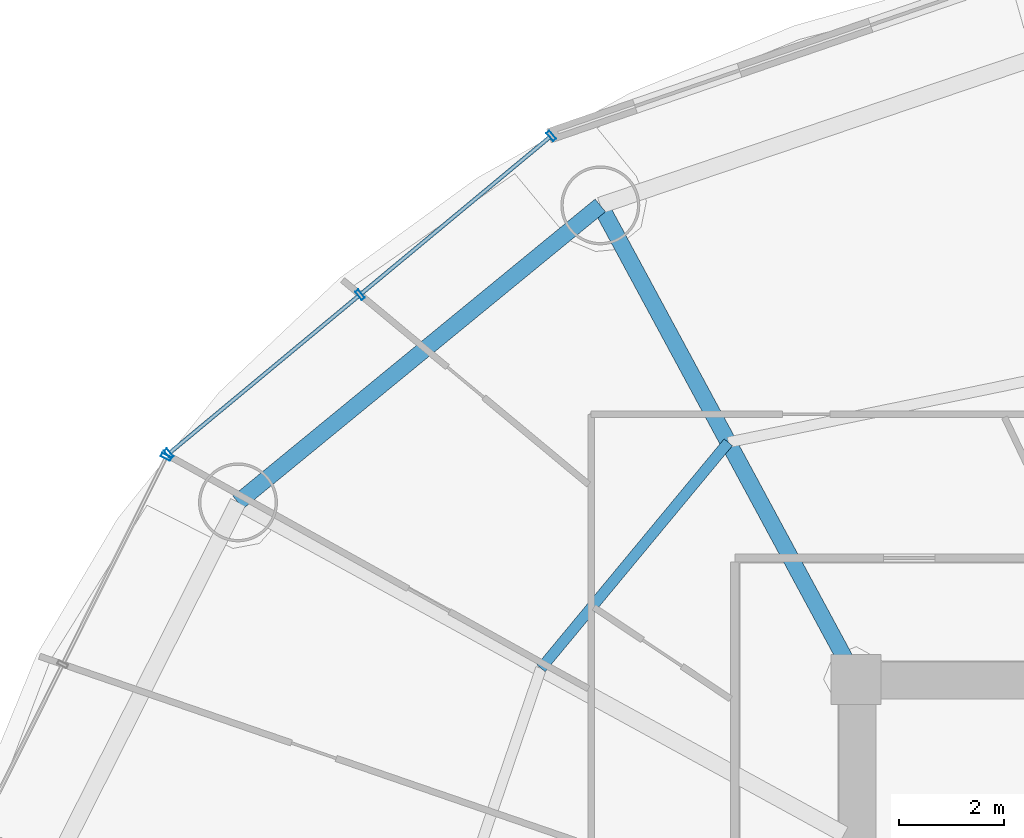
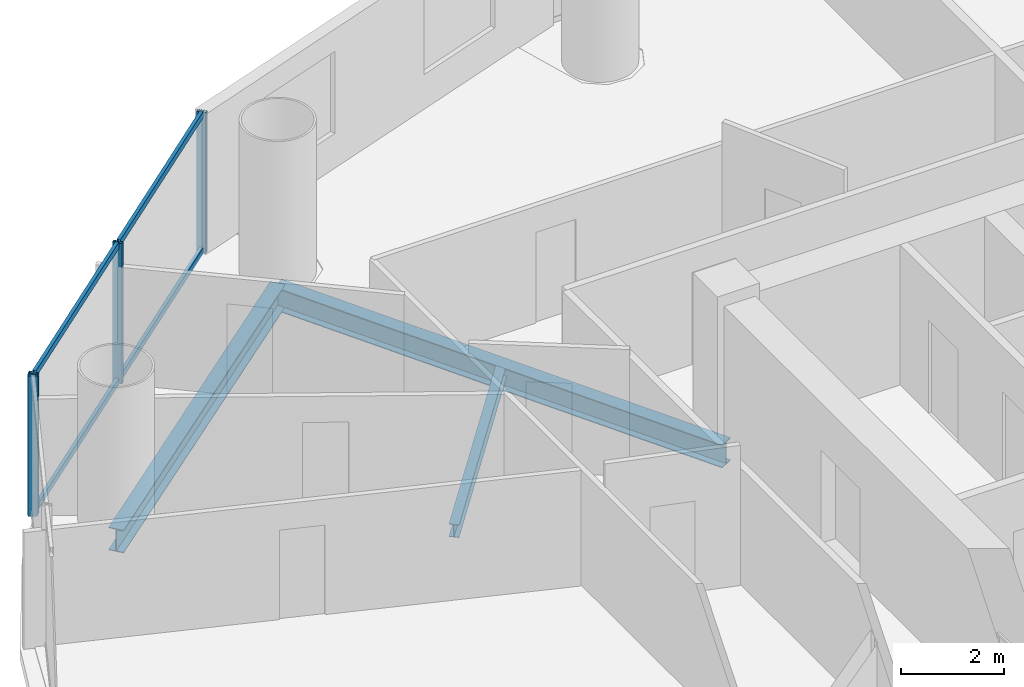
# One storey, part 16 of 29: 8 members, 3 beams, 2 elements without a shape of their own.
"""IFC4 building model written with IfcOpenShell, lengths in metres."""

import ifcopenshell
import ifcopenshell.guid

model = None  # the IFC model being written
_history = None  # IfcOwnerHistory: only IFC2X3 demands one
_inside = {}  # id of a spatial element -> (the spatial element, [elements in it])
_under = {}  # id of a project, library or spatial element -> (it, [spatial elements below it])
_declared = {}  # id of a project -> (the project, [libraries it declares])
_typed = {}  # id of a type object -> (the type object, [elements of that type])
_made_of = {}  # id of a material, layer set ... -> (it, [elements and type objects made of it])


def new_model(schema):
    """Start an empty IFC model of exactly this schema.

    Asked for "IFC4X3", IfcOpenShell would pick the latest addendum, in which some entities
    have other attributes; the version numbers below select the first issue.
    IFC2X3 requires an IfcOwnerHistory on every rooted entity: one is made here for all.
    """
    global model, _history
    if schema == "IFC4X3":
        model = ifcopenshell.file(schema_version=(4, 3, 0, 0))
    else:
        model = ifcopenshell.file(schema=schema)
    _inside.clear()
    _under.clear()
    _declared.clear()
    _typed.clear()
    _made_of.clear()
    _history = None
    if model.schema == "IFC2X3":
        org = make("IfcOrganization", Name="unknown")
        user = make(
            "IfcPersonAndOrganization",
            ThePerson=make("IfcPerson", FamilyName="unknown"),
            TheOrganization=org,
        )
        app = make(
            "IfcApplication",
            ApplicationDeveloper=org,
            Version="unknown",
            ApplicationFullName="unknown",
            ApplicationIdentifier="unknown",
        )
        _history = make(
            "IfcOwnerHistory",
            OwningUser=user,
            OwningApplication=app,
            ChangeAction="ADDED",
            CreationDate=0,
        )
    return model


def make(cls, **values):
    """One entity of the class cls with the attributes given. An attribute that is None is left unset."""
    return model.create_entity(
        cls, **{name: value for name, value in values.items() if value is not None}
    )


def rooted(cls, **values):
    """An entity with a GlobalId (a new one), such as an element, a storey or a relation."""
    return make(cls, GlobalId=ifcopenshell.guid.new(), OwnerHistory=_history, **values)


def si_unit(unit_type, name, prefix=None):
    """IfcSIUnit, for example si_unit("LENGTHUNIT", "METRE", prefix="MILLI")."""
    return make("IfcSIUnit", UnitType=unit_type, Prefix=prefix, Name=name)


def assignment(units):
    """IfcUnitAssignment: the units of a project."""
    return None if units is None else make("IfcUnitAssignment", Units=units)


def point(xyz):
    """IfcCartesianPoint."""
    return None if xyz is None else make("IfcCartesianPoint", Coordinates=xyz)


def direction(xyz):
    """IfcDirection."""
    return None if xyz is None else make("IfcDirection", DirectionRatios=xyz)


def frame(location, z_axis=None, x_axis=None):
    """IfcAxis2Placement3D, a coordinate frame: its origin and axes. An axis left out is left unset."""
    return make(
        "IfcAxis2Placement3D",
        Location=point(location),
        Axis=direction(z_axis),
        RefDirection=direction(x_axis),
    )


def frame_2d(location, x_axis=None):
    """IfcAxis2Placement2D, a coordinate frame in the plane: its origin and x axis."""
    return make(
        "IfcAxis2Placement2D", Location=point(location), RefDirection=direction(x_axis)
    )


def origin():
    """The frame at (0, 0, 0) with its axes left unset."""
    return frame((0.0, 0.0, 0.0))


def origin_2d():
    """The frame at (0, 0) in the plane with its x axis left unset."""
    return frame_2d((0.0, 0.0))


def place(relative_to, where):
    """IfcLocalPlacement: puts the frame where relative to a parent placement (None: the world)."""
    return make(
        "IfcLocalPlacement", PlacementRelTo=relative_to, RelativePlacement=where
    )


def context(
    kind, dimensions, precision=None, world=None, true_north=None, identifier=None
):
    """IfcGeometricRepresentationContext, for example the 3D "Model" context."""
    return make(
        "IfcGeometricRepresentationContext",
        ContextIdentifier=identifier,
        ContextType=kind,
        CoordinateSpaceDimension=dimensions,
        Precision=precision,
        WorldCoordinateSystem=world,
        TrueNorth=true_north,
    )


def subcontext(parent, identifier, kind, view, scale=None):
    """IfcGeometricRepresentationSubContext, for example "Body" below "Model"."""
    return make(
        "IfcGeometricRepresentationSubContext",
        ContextIdentifier=identifier,
        ContextType=kind,
        ParentContext=parent,
        TargetScale=scale,
        TargetView=view,
    )


def project(units=None, contexts=None):
    """IfcProject with its units and contexts."""
    return rooted(
        "IfcProject",
        Name="project",
        RepresentationContexts=contexts,
        UnitsInContext=assignment(units),
    )


def spatial(cls, under=None, at=None, **own):
    """A site, building, storey or space (cls), placed at a placement, below another one or the project."""
    s = rooted(cls, ObjectPlacement=at, **own)
    if under is not None:
        _under.setdefault(under.id(), (under, []))[1].append(s)
    return s


def profile(cls, at=None, kind="AREA", **sizes):
    """A parametric profile (cls). Its sizes go by their IFC names, for example OverallWidth=200.0."""
    return make(cls, ProfileType=kind, Position=at, **sizes)


def hollow_rectangle(**sizes):
    """IfcRectangleHollowProfileDef."""
    return profile("IfcRectangleHollowProfileDef", **sizes)


def i_section(**sizes):
    """IfcIShapeProfileDef."""
    return profile("IfcIShapeProfileDef", **sizes)


def extrude(swept, where, along, depth):
    """IfcExtrudedAreaSolid: the profile swept, set in the frame where, extruded along a direction by depth."""
    return make(
        "IfcExtrudedAreaSolid",
        SweptArea=swept,
        Position=where,
        ExtrudedDirection=direction(along),
        Depth=depth,
    )


def shape(context_of_items, identifier, shape_type, items):
    """IfcShapeRepresentation: the items that make up one representation, for example the "Body"."""
    return make(
        "IfcShapeRepresentation",
        ContextOfItems=context_of_items,
        RepresentationIdentifier=identifier,
        RepresentationType=shape_type,
        Items=items,
    )


def source(mapping_origin, context_of_items, identifier, shape_type, items):
    """IfcRepresentationMap: a shape defined once, which mapped items show again and again."""
    return make(
        "IfcRepresentationMap",
        MappingOrigin=mapping_origin,
        MappedRepresentation=shape(context_of_items, identifier, shape_type, items),
    )


def transform(
    local_origin,
    x_axis=None,
    y_axis=None,
    z_axis=None,
    scale=None,
    scale2=None,
    scale3=None,
    uniform=True,
):
    """IfcCartesianTransformationOperator3D, or its non-uniform kind. x_axis, y_axis, z_axis: its Axis1, 2, 3."""
    if uniform:
        return make(
            "IfcCartesianTransformationOperator3D",
            Axis1=direction(x_axis),
            Axis2=direction(y_axis),
            LocalOrigin=point(local_origin),
            Scale=scale,
            Axis3=direction(z_axis),
        )
    return make(
        "IfcCartesianTransformationOperator3DnonUniform",
        Axis1=direction(x_axis),
        Axis2=direction(y_axis),
        LocalOrigin=point(local_origin),
        Scale=scale,
        Axis3=direction(z_axis),
        Scale2=scale2,
        Scale3=scale3,
    )


def mapped(mapping_source, mapping_target):
    """IfcMappedItem: shows the shape of a source again, moved by a transform."""
    return make(
        "IfcMappedItem", MappingSource=mapping_source, MappingTarget=mapping_target
    )


def material(Name=None, Category=None):
    """IfcMaterial."""
    return make("IfcMaterial", Name=Name, Category=Category)


def material_profile(
    of_material, cross_section, Name=None, Category=None, Priority=None
):
    """IfcMaterialProfile: a cross section and its material."""
    return make(
        "IfcMaterialProfile",
        Name=Name,
        Material=of_material,
        Profile=cross_section,
        Priority=Priority,
        Category=Category,
    )


def profile_set(profiles, Name=None, composite=None):
    """IfcMaterialProfileSet."""
    return make(
        "IfcMaterialProfileSet",
        Name=Name,
        MaterialProfiles=profiles,
        CompositeProfile=composite,
    )


def made_of(thing, what):
    """Note that an element or type object is made of a material, layer set ...; save() writes the relation."""
    if what is not None:
        _made_of.setdefault(what.id(), (what, []))[1].append(thing)
    return thing


def type_object(cls, material=None, **own):
    """A type object (cls), such as IfcWallType, which elements share."""
    return made_of(rooted(cls, **own), material)


def element(
    cls,
    number,
    at=None,
    inside=None,
    cuts=None,
    type_object=None,
    material=None,
    context=None,
    identifier="Body",
    shape_type=None,
    held_by="IfcProductDefinitionShape",
    body=None,
    shapes=None,
    **own,
):
    """One element of the class cls, such as IfcWall. Its Tag is "e" and its number.

    at: its placement. inside: the storey or other place that contains it. cuts: it is an
    opening in that element (IfcRelVoidsElement). A single representation is given by context,
    identifier, shape_type and body (its items); several are given by shapes. held_by: the class
    of the entity that holds the representations. save() writes the other relations.
    """
    e = rooted(cls, Tag="e%d" % number, ObjectPlacement=at, **own)
    if body is not None:
        shapes = [shape(context, identifier, shape_type, body)]
    if shapes is not None:
        e.Representation = make(held_by, Representations=shapes)
    if inside is not None:
        _inside.setdefault(inside.id(), (inside, []))[1].append(e)
    if cuts is not None:
        rooted(
            "IfcRelVoidsElement", RelatingBuildingElement=cuts, RelatedOpeningElement=e
        )
    if type_object is not None:
        _typed.setdefault(type_object.id(), (type_object, []))[1].append(e)
    return made_of(e, material)


def aggregate(whole, parts):
    """IfcRelAggregates: a whole, such as a stair, and the parts it consists of."""
    return rooted("IfcRelAggregates", RelatingObject=whole, RelatedObjects=parts)


def save(model, path):
    """Write the relations noted so far, then the file.

    IfcRelAggregates (storeys below a building ...), IfcRelContainedInSpatialStructure (elements
    in a storey), IfcRelDefinesByType, IfcRelAssociatesMaterial and IfcRelDeclares: one each for
    every whole, place, type object, material and project.
    """
    for whole, parts in _under.values():
        aggregate(whole, parts)
    for where, things in _inside.values():
        rooted(
            "IfcRelContainedInSpatialStructure",
            RelatedElements=things,
            RelatingStructure=where,
        )
    for kind, things in _typed.values():
        rooted("IfcRelDefinesByType", RelatedObjects=things, RelatingType=kind)
    for what, things in _made_of.values():
        rooted("IfcRelAssociatesMaterial", RelatedObjects=things, RelatingMaterial=what)
    for by, libraries in _declared.values():
        rooted("IfcRelDeclares", RelatingContext=by, RelatedDefinitions=libraries)
    model.write(path)


model = new_model("IFC4")

# Units and contexts
model_context = context("Model", 3, precision=1e-05, world=origin(), true_north=direction((-0.2419218956, 0.970295726276)))
body_context = subcontext(model_context, "Body", "Model", "MODEL_VIEW")
ifc_project = project(units=[si_unit("LENGTHUNIT", "METRE"), si_unit("AREAUNIT", "SQUARE_METRE"), si_unit("VOLUMEUNIT", "CUBIC_METRE"), si_unit("PLANEANGLEUNIT", "RADIAN"), si_unit("MASSUNIT", "GRAM", prefix="KILO")], contexts=[model_context])

# Site, building, storey
site_placement = place(None, origin())
site = spatial("IfcSite", under=ifc_project, at=site_placement, CompositionType="ELEMENT")
building_placement = place(site_placement, origin())
building = spatial("IfcBuilding", under=site, at=building_placement, Name="Cobrevalo Terracotta Tower", CompositionType="ELEMENT")
storey_placement = place(building_placement, frame((0.0, 0.0, 83.39990234375)))
storey = spatial("IfcBuildingStorey", under=building, at=storey_placement, Name="L21", CompositionType="ELEMENT", Elevation=83.39990234375)

# Beams
ifc_material_1 = material(Name="Steel S355", Category="steel")
ifc_material_profile_1 = material_profile(ifc_material_1, i_section(OverallWidth=0.31201171875, OverallDepth=0.54296875, WebThickness=0.0126953125, FlangeThickness=0.020263671875, at=origin_2d()), Name="W 530x150")
ifc_profile_set_1 = profile_set([ifc_material_profile_1], Name="Steel S355")
beam_type_1 = type_object("IfcBeamType", Name="Structural Beam W 530x150 (Steel S355)", PredefinedType="BEAM", material=ifc_profile_set_1)
beam_1_placement = place(storey_placement, frame((24.138427734375, 43.803466796875, -0.54638671875), z_axis=(0.475128224431, -0.879916570107, 0.0), x_axis=(0.879916570107, 0.475128224431, 0.0)))
element("IfcBeam", 1, at=beam_1_placement, inside=storey, type_object=beam_type_1, Name="L21 radial floor girder 06", PredefinedType="BEAM", context=body_context, shape_type="SweptSolid", body=[
    extrude(i_section(OverallWidth=0.31201171875, OverallDepth=0.54296875, WebThickness=0.0126953125, FlangeThickness=0.020263671875, at=origin_2d()), origin(), (0.0, 0.0, 1.0), 10.232177734375),
])
ifc_material_profile_2 = material_profile(ifc_material_1, i_section(OverallWidth=0.2041015625, OverallDepth=0.305908203125, WebThickness=0.008544921875, FlangeThickness=0.0146484375, at=origin_2d()), Name="W 310x67")
ifc_profile_set_2 = profile_set([ifc_material_profile_2], Name="Steel S355")
beam_type_2 = type_object("IfcBeamType", Name="Structural Joist W 310x67 (Steel S355)", PredefinedType="JOIST", material=ifc_profile_set_2)
beam_2_placement = place(storey_placement, frame((26.5693359375, 39.3017578125, -0.427978515625), z_axis=(-0.6379592588, -0.77007011636, 0.0), x_axis=(0.77007011636, -0.6379592588, 0.0)))
element("IfcBeam", 2, at=beam_2_placement, inside=storey, type_object=beam_type_2, Name="L21 circumferential secondary floor joist 06", PredefinedType="JOIST", context=body_context, shape_type="SweptSolid", body=[
    extrude(i_section(OverallWidth=0.2041015625, OverallDepth=0.305908203125, WebThickness=0.008544921875, FlangeThickness=0.0146484375, at=origin_2d()), origin(), (0.0, 0.0, 1.0), 5.575439453125),
])
ifc_material_profile_3 = material_profile(ifc_material_1, i_section(OverallWidth=0.31201171875, OverallDepth=0.54296875, WebThickness=0.0126953125, FlangeThickness=0.020263671875, at=origin_2d()), Name="W 530x150")
ifc_profile_set_3 = profile_set([ifc_material_profile_3], Name="Steel S355")
beam_type_3 = type_object("IfcBeamType", Name="Structural Spandrel W 530x150 (Steel S355)", PredefinedType="SPANDREL", material=ifc_profile_set_3)
beam_3_placement = place(storey_placement, frame((24.138427734375, 43.803466796875, -0.54638671875), z_axis=(-0.773400923541, -0.633917196064, 0.0), x_axis=(0.633917196064, -0.773400923541, 0.0)))
element("IfcBeam", 3, at=beam_3_placement, inside=storey, type_object=beam_type_3, Name="L21 perimeter ring spandrel 06", PredefinedType="SPANDREL", context=body_context, shape_type="SweptSolid", body=[
    extrude(i_section(OverallWidth=0.31201171875, OverallDepth=0.54296875, WebThickness=0.0126953125, FlangeThickness=0.020263671875, at=origin_2d()), origin(), (0.0, 0.0, 1.0), 8.900390625),
])

# Curtain wall, members
ifc_material_2 = material(Name="Anodized aluminium", Category="aluminium")
curtain_wall_type = type_object("IfcCurtainWallType", Name="Lower-tower unitised acoustic low-E curtain wall CW-U1", PredefinedType="NOTDEFINED", material=ifc_material_2)
curtain_wall_1_placement = place(storey_placement, origin())
curtain_wall_1 = element("IfcCurtainWall", 4, at=curtain_wall_1_placement, inside=storey, type_object=curtain_wall_type, Name="L21 curtain wall CW-L21-S06", PredefinedType="NOTDEFINED")
ifc_material_profile_4 = material_profile(ifc_material_2, hollow_rectangle(XDim=0.074951171875, YDim=0.14990234375, WallThickness=0.00439453125, at=origin_2d()), Name="CWT 75x150")
ifc_profile_set_4 = profile_set([ifc_material_profile_4], Name="Anodized aluminium")
member_type_1 = type_object("IfcMemberType", Name="Tower unitised aluminium transom 75x150", PredefinedType="USERDEFINED", material=ifc_profile_set_4)
shared_shape_1 = source(origin(), body_context, "Body", "SweptSolid", [
    extrude(hollow_rectangle(XDim=0.074951171875, YDim=0.14990234375, WallThickness=0.00439453125, at=origin_2d()), origin(), (0.0, 0.0, 1.0), 4.644775390625),
])
member_1_placement = place(storey_placement, frame((23.177001953125, 45.099365234375, 0.050048828125), z_axis=(-0.76924999091, -0.638947925487, 0.0), x_axis=(0.638947925487, -0.76924999091, 0.0)))
member_1 = element("IfcMember", 5, at=member_1_placement, type_object=member_type_1, Name="CW-L21-S06 transom B01-T1", ObjectType="TRANSOM", PredefinedType="USERDEFINED", context=body_context, shape_type="MappedRepresentation", body=[
    mapped(shared_shape_1, transform((0.0, 0.0, 0.0), scale=1.0)),
])
member_2_placement = place(storey_placement, frame((23.177001953125, 45.099365234375, 3.275146484375), z_axis=(-0.76924999091, -0.638947925487, 0.0), x_axis=(0.638947925487, -0.76924999091, 0.0)))
member_2 = element("IfcMember", 6, at=member_2_placement, type_object=member_type_1, Name="CW-L21-S06 transom B01-T2", ObjectType="TRANSOM", PredefinedType="USERDEFINED", context=body_context, shape_type="MappedRepresentation", body=[
    mapped(shared_shape_1, transform((0.0, 0.0, 0.0), scale=1.0)),
])
member_3_placement = place(storey_placement, frame((19.54248046875, 42.080322265625, 0.050048828125), z_axis=(-0.76924999091, -0.638947925487, 0.0), x_axis=(0.638947925487, -0.76924999091, 0.0)))
member_3 = element("IfcMember", 7, at=member_3_placement, type_object=member_type_1, Name="CW-L21-S06 transom B02-T1", ObjectType="TRANSOM", PredefinedType="USERDEFINED", context=body_context, shape_type="MappedRepresentation", body=[
    mapped(shared_shape_1, transform((0.0, 0.0, 0.0), scale=1.0)),
])
member_4_placement = place(storey_placement, frame((19.54248046875, 42.080322265625, 3.275146484375), z_axis=(-0.76924999091, -0.638947925487, 0.0), x_axis=(0.638947925487, -0.76924999091, 0.0)))
member_4 = element("IfcMember", 8, at=member_4_placement, type_object=member_type_1, Name="CW-L21-S06 transom B02-T2", ObjectType="TRANSOM", PredefinedType="USERDEFINED", context=body_context, shape_type="MappedRepresentation", body=[
    mapped(shared_shape_1, transform((0.0, 0.0, 0.0), scale=1.0)),
])
ifc_material_profile_5 = material_profile(ifc_material_2, hollow_rectangle(XDim=0.074951171875, YDim=0.199951171875, WallThickness=0.0048828125, at=origin_2d()), Name="CWM 75x200")
ifc_profile_set_5 = profile_set([ifc_material_profile_5], Name="Anodized aluminium")
member_type_2 = type_object("IfcMemberType", Name="Lower/mid tower unitised mullion 75x200", PredefinedType="MULLION", material=ifc_profile_set_5)
shared_shape_2 = source(origin(), body_context, "Body", "SweptSolid", [
    extrude(hollow_rectangle(XDim=0.074951171875, YDim=0.199951171875, WallThickness=0.0048828125, at=origin_2d()), origin(), (0.0, 0.0, 1.0), 3.3251953125),
])
member_5_placement = place(storey_placement, frame((23.207763671875, 45.125, 0.0), z_axis=(0.0, 0.0, 1.0), x_axis=(-0.769243451658, -0.638955798222, 0.0)))
member_5 = element("IfcMember", 9, at=member_5_placement, type_object=member_type_2, Name="CW-L21-S06 vertical mullion 01", PredefinedType="MULLION", context=body_context, shape_type="MappedRepresentation", body=[
    mapped(shared_shape_2, transform((0.0, 0.0, 0.0), scale=1.0)),
])
member_6_placement = place(storey_placement, frame((19.5732421875, 42.10595703125, 0.0), z_axis=(0.0, 0.0, 1.0), x_axis=(-0.769243451658, -0.638955798222, 0.0)))
member_6 = element("IfcMember", 10, at=member_6_placement, type_object=member_type_2, Name="CW-L21-S06 vertical mullion 02", PredefinedType="MULLION", context=body_context, shape_type="MappedRepresentation", body=[
    mapped(shared_shape_2, transform((0.0, 0.0, 0.0), scale=1.0)),
])
member_7_placement = place(storey_placement, frame((15.938720703125, 39.0869140625, 0.0), z_axis=(0.0, 0.0, 1.0), x_axis=(-0.769243451658, -0.638955798222, 0.0)))
member_7 = element("IfcMember", 11, at=member_7_placement, type_object=member_type_2, Name="CW-L21-S06 vertical mullion 03", PredefinedType="MULLION", context=body_context, shape_type="MappedRepresentation", body=[
    mapped(shared_shape_2, transform((0.0, 0.0, 0.0), scale=1.0)),
])
aggregate(curtain_wall_1, [member_5, member_6, member_7, member_1, member_2, member_3, member_4])

# Curtain wall, member
curtain_wall_2_placement = place(storey_placement, origin())
curtain_wall_2 = element("IfcCurtainWall", 12, at=curtain_wall_2_placement, inside=storey, type_object=curtain_wall_type, Name="L21 curtain wall CW-L21-S07", PredefinedType="NOTDEFINED")
member_8_placement = place(storey_placement, frame((15.889892578125, 39.025634765625, 0.0), z_axis=(0.0, 0.0, 1.0), x_axis=(-0.446260290227, -0.894903208937, 0.0)))
member_8 = element("IfcMember", 13, at=member_8_placement, type_object=member_type_2, Name="CW-L21-S07 vertical mullion 01", PredefinedType="MULLION", context=body_context, shape_type="MappedRepresentation", body=[
    mapped(shared_shape_2, transform((0.0, 0.0, 0.0), scale=1.0)),
])
aggregate(curtain_wall_2, [member_8])

save(model, "model.ifc")
